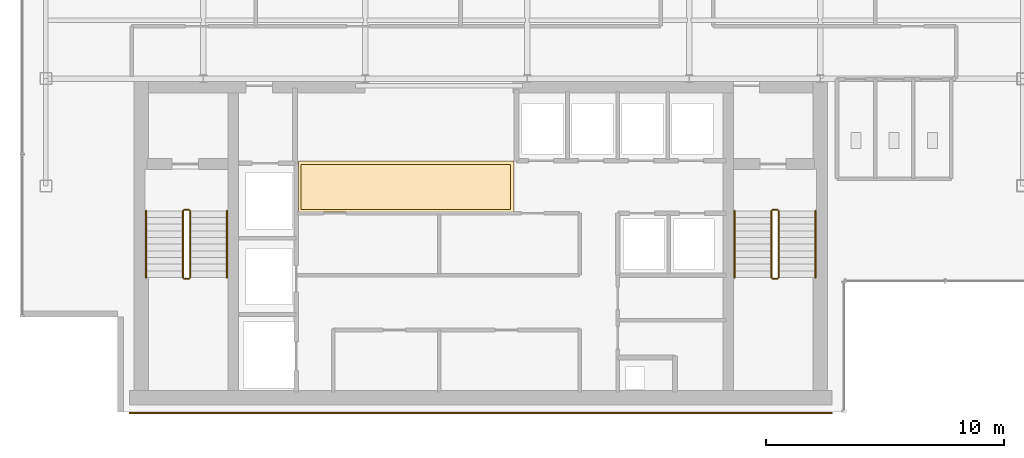
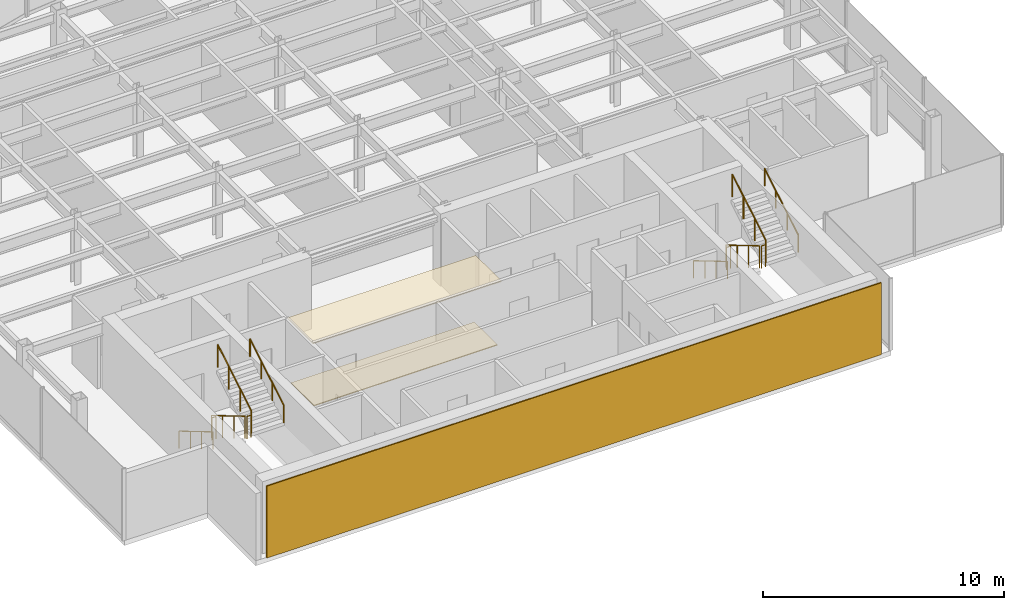
# One storey, part 20 of 22: 12 railings, 3 coverings.
"""IFC4 building model written with IfcOpenShell, lengths in metres."""

import ifcopenshell
import ifcopenshell.guid

model = None  # the IFC model being written
_history = None  # IfcOwnerHistory: only IFC2X3 demands one
_inside = {}  # id of a spatial element -> (the spatial element, [elements in it])
_under = {}  # id of a project, library or spatial element -> (it, [spatial elements below it])
_declared = {}  # id of a project -> (the project, [libraries it declares])
_typed = {}  # id of a type object -> (the type object, [elements of that type])
_made_of = {}  # id of a material, layer set ... -> (it, [elements and type objects made of it])


def new_model(schema):
    """Start an empty IFC model of exactly this schema.

    Asked for "IFC4X3", IfcOpenShell would pick the latest addendum, in which some entities
    have other attributes; the version numbers below select the first issue.
    IFC2X3 requires an IfcOwnerHistory on every rooted entity: one is made here for all.
    """
    global model, _history
    if schema == "IFC4X3":
        model = ifcopenshell.file(schema_version=(4, 3, 0, 0))
    else:
        model = ifcopenshell.file(schema=schema)
    _inside.clear()
    _under.clear()
    _declared.clear()
    _typed.clear()
    _made_of.clear()
    _history = None
    if model.schema == "IFC2X3":
        org = make("IfcOrganization", Name="unknown")
        user = make(
            "IfcPersonAndOrganization",
            ThePerson=make("IfcPerson", FamilyName="unknown"),
            TheOrganization=org,
        )
        app = make(
            "IfcApplication",
            ApplicationDeveloper=org,
            Version="unknown",
            ApplicationFullName="unknown",
            ApplicationIdentifier="unknown",
        )
        _history = make(
            "IfcOwnerHistory",
            OwningUser=user,
            OwningApplication=app,
            ChangeAction="ADDED",
            CreationDate=0,
        )
    return model


def make(cls, **values):
    """One entity of the class cls with the attributes given. An attribute that is None is left unset."""
    return model.create_entity(
        cls, **{name: value for name, value in values.items() if value is not None}
    )


def rooted(cls, **values):
    """An entity with a GlobalId (a new one), such as an element, a storey or a relation."""
    return make(cls, GlobalId=ifcopenshell.guid.new(), OwnerHistory=_history, **values)


def si_unit(unit_type, name, prefix=None):
    """IfcSIUnit, for example si_unit("LENGTHUNIT", "METRE", prefix="MILLI")."""
    return make("IfcSIUnit", UnitType=unit_type, Prefix=prefix, Name=name)


def derived_unit(unit_type, elements):
    """IfcDerivedUnit: a product of units, each with its exponent."""
    return make(
        "IfcDerivedUnit",
        Elements=[
            make("IfcDerivedUnitElement", Unit=unit, Exponent=power)
            for unit, power in elements
        ],
        UnitType=unit_type,
    )


def assignment(units):
    """IfcUnitAssignment: the units of a project."""
    return None if units is None else make("IfcUnitAssignment", Units=units)


def point(xyz):
    """IfcCartesianPoint."""
    return None if xyz is None else make("IfcCartesianPoint", Coordinates=xyz)


def direction(xyz):
    """IfcDirection."""
    return None if xyz is None else make("IfcDirection", DirectionRatios=xyz)


def frame(location, z_axis=None, x_axis=None):
    """IfcAxis2Placement3D, a coordinate frame: its origin and axes. An axis left out is left unset."""
    return make(
        "IfcAxis2Placement3D",
        Location=point(location),
        Axis=direction(z_axis),
        RefDirection=direction(x_axis),
    )


def frame_2d(location, x_axis=None):
    """IfcAxis2Placement2D, a coordinate frame in the plane: its origin and x axis."""
    return make(
        "IfcAxis2Placement2D", Location=point(location), RefDirection=direction(x_axis)
    )


def origin():
    """The frame at (0, 0, 0) with its axes left unset."""
    return frame((0.0, 0.0, 0.0))


def origin_2d():
    """The frame at (0, 0) in the plane with its x axis left unset."""
    return frame_2d((0.0, 0.0))


def place(relative_to, where):
    """IfcLocalPlacement: puts the frame where relative to a parent placement (None: the world)."""
    return make(
        "IfcLocalPlacement", PlacementRelTo=relative_to, RelativePlacement=where
    )


def context(
    kind, dimensions, precision=None, world=None, true_north=None, identifier=None
):
    """IfcGeometricRepresentationContext, for example the 3D "Model" context."""
    return make(
        "IfcGeometricRepresentationContext",
        ContextIdentifier=identifier,
        ContextType=kind,
        CoordinateSpaceDimension=dimensions,
        Precision=precision,
        WorldCoordinateSystem=world,
        TrueNorth=true_north,
    )


def subcontext(parent, identifier, kind, view, scale=None):
    """IfcGeometricRepresentationSubContext, for example "Body" below "Model"."""
    return make(
        "IfcGeometricRepresentationSubContext",
        ContextIdentifier=identifier,
        ContextType=kind,
        ParentContext=parent,
        TargetScale=scale,
        TargetView=view,
    )


def project(units=None, contexts=None):
    """IfcProject with its units and contexts."""
    return rooted(
        "IfcProject",
        Name="project",
        RepresentationContexts=contexts,
        UnitsInContext=assignment(units),
    )


def spatial(cls, under=None, at=None, **own):
    """A site, building, storey or space (cls), placed at a placement, below another one or the project."""
    s = rooted(cls, ObjectPlacement=at, **own)
    if under is not None:
        _under.setdefault(under.id(), (under, []))[1].append(s)
    return s


def polyline(points):
    """IfcPolyline through the points."""
    return make("IfcPolyline", Points=[point(p) for p in points])


def profile(cls, at=None, kind="AREA", **sizes):
    """A parametric profile (cls). Its sizes go by their IFC names, for example OverallWidth=200.0."""
    return make(cls, ProfileType=kind, Position=at, **sizes)


def rectangle(**sizes):
    """IfcRectangleProfileDef."""
    return profile("IfcRectangleProfileDef", **sizes)


def circle(**sizes):
    """IfcCircleProfileDef."""
    return profile("IfcCircleProfileDef", **sizes)


def outline(outer, holes=None, kind="AREA"):
    """IfcArbitraryClosedProfileDef: a profile drawn as a closed curve; with holes, ...WithVoids."""
    if holes is None:
        return make("IfcArbitraryClosedProfileDef", ProfileType=kind, OuterCurve=outer)
    return make(
        "IfcArbitraryProfileDefWithVoids",
        ProfileType=kind,
        OuterCurve=outer,
        InnerCurves=holes,
    )


def extrude(swept, where, along, depth):
    """IfcExtrudedAreaSolid: the profile swept, set in the frame where, extruded along a direction by depth."""
    return make(
        "IfcExtrudedAreaSolid",
        SweptArea=swept,
        Position=where,
        ExtrudedDirection=direction(along),
        Depth=depth,
    )


def shape(context_of_items, identifier, shape_type, items):
    """IfcShapeRepresentation: the items that make up one representation, for example the "Body"."""
    return make(
        "IfcShapeRepresentation",
        ContextOfItems=context_of_items,
        RepresentationIdentifier=identifier,
        RepresentationType=shape_type,
        Items=items,
    )


def source(mapping_origin, context_of_items, identifier, shape_type, items):
    """IfcRepresentationMap: a shape defined once, which mapped items show again and again."""
    return make(
        "IfcRepresentationMap",
        MappingOrigin=mapping_origin,
        MappedRepresentation=shape(context_of_items, identifier, shape_type, items),
    )


def transform(
    local_origin,
    x_axis=None,
    y_axis=None,
    z_axis=None,
    scale=None,
    scale2=None,
    scale3=None,
    uniform=True,
):
    """IfcCartesianTransformationOperator3D, or its non-uniform kind. x_axis, y_axis, z_axis: its Axis1, 2, 3."""
    if uniform:
        return make(
            "IfcCartesianTransformationOperator3D",
            Axis1=direction(x_axis),
            Axis2=direction(y_axis),
            LocalOrigin=point(local_origin),
            Scale=scale,
            Axis3=direction(z_axis),
        )
    return make(
        "IfcCartesianTransformationOperator3DnonUniform",
        Axis1=direction(x_axis),
        Axis2=direction(y_axis),
        LocalOrigin=point(local_origin),
        Scale=scale,
        Axis3=direction(z_axis),
        Scale2=scale2,
        Scale3=scale3,
    )


def mapped(mapping_source, mapping_target):
    """IfcMappedItem: shows the shape of a source again, moved by a transform."""
    return make(
        "IfcMappedItem", MappingSource=mapping_source, MappingTarget=mapping_target
    )


def material(Name=None, Category=None):
    """IfcMaterial."""
    return make("IfcMaterial", Name=Name, Category=Category)


def layer(
    of_material, thickness, ventilated=None, Name=None, Category=None, Priority=None
):
    """IfcMaterialLayer: one layer of a wall or slab, of a material (None: an air gap)."""
    return make(
        "IfcMaterialLayer",
        Material=of_material,
        LayerThickness=thickness,
        IsVentilated=ventilated,
        Name=Name,
        Category=Category,
        Priority=Priority,
    )


def layer_set(layers, Name=None):
    """IfcMaterialLayerSet."""
    return make("IfcMaterialLayerSet", MaterialLayers=layers, LayerSetName=Name)


def made_of(thing, what):
    """Note that an element or type object is made of a material, layer set ...; save() writes the relation."""
    if what is not None:
        _made_of.setdefault(what.id(), (what, []))[1].append(thing)
    return thing


def type_object(cls, material=None, **own):
    """A type object (cls), such as IfcWallType, which elements share."""
    return made_of(rooted(cls, **own), material)


def element(
    cls,
    number,
    at=None,
    inside=None,
    cuts=None,
    type_object=None,
    material=None,
    context=None,
    identifier="Body",
    shape_type=None,
    held_by="IfcProductDefinitionShape",
    body=None,
    shapes=None,
    **own,
):
    """One element of the class cls, such as IfcWall. Its Tag is "e" and its number.

    at: its placement. inside: the storey or other place that contains it. cuts: it is an
    opening in that element (IfcRelVoidsElement). A single representation is given by context,
    identifier, shape_type and body (its items); several are given by shapes. held_by: the class
    of the entity that holds the representations. save() writes the other relations.
    """
    e = rooted(cls, Tag="e%d" % number, ObjectPlacement=at, **own)
    if body is not None:
        shapes = [shape(context, identifier, shape_type, body)]
    if shapes is not None:
        e.Representation = make(held_by, Representations=shapes)
    if inside is not None:
        _inside.setdefault(inside.id(), (inside, []))[1].append(e)
    if cuts is not None:
        rooted(
            "IfcRelVoidsElement", RelatingBuildingElement=cuts, RelatedOpeningElement=e
        )
    if type_object is not None:
        _typed.setdefault(type_object.id(), (type_object, []))[1].append(e)
    return made_of(e, material)


def aggregate(whole, parts):
    """IfcRelAggregates: a whole, such as a stair, and the parts it consists of."""
    return rooted("IfcRelAggregates", RelatingObject=whole, RelatedObjects=parts)


def save(model, path):
    """Write the relations noted so far, then the file.

    IfcRelAggregates (storeys below a building ...), IfcRelContainedInSpatialStructure (elements
    in a storey), IfcRelDefinesByType, IfcRelAssociatesMaterial and IfcRelDeclares: one each for
    every whole, place, type object, material and project.
    """
    for whole, parts in _under.values():
        aggregate(whole, parts)
    for where, things in _inside.values():
        rooted(
            "IfcRelContainedInSpatialStructure",
            RelatedElements=things,
            RelatingStructure=where,
        )
    for kind, things in _typed.values():
        rooted("IfcRelDefinesByType", RelatedObjects=things, RelatingType=kind)
    for what, things in _made_of.values():
        rooted("IfcRelAssociatesMaterial", RelatedObjects=things, RelatingMaterial=what)
    for by, libraries in _declared.values():
        rooted("IfcRelDeclares", RelatingContext=by, RelatedDefinitions=libraries)
    model.write(path)


model = new_model("IFC4")

# Units and contexts
model_context = context("Model", 3, precision=1e-05, world=origin(), true_north=direction((0.0, 1.0)))
body_context = subcontext(model_context, "Body", "Model", "MODEL_VIEW")
ifc_project = project(units=[si_unit("LENGTHUNIT", "METRE"), si_unit("AREAUNIT", "SQUARE_METRE"), si_unit("VOLUMEUNIT", "CUBIC_METRE"), si_unit("PLANEANGLEUNIT", "RADIAN"), si_unit("MASSUNIT", "GRAM", prefix="KILO"), derived_unit("THERMALTRANSMITTANCEUNIT", [(si_unit("POWERUNIT", "WATT"), 1), (si_unit("LENGTHUNIT", "METRE"), -2), (si_unit("THERMODYNAMICTEMPERATUREUNIT", "KELVIN"), -1)])], contexts=[model_context])

# Site, building, storey
site_placement = place(None, origin())
site = spatial("IfcSite", under=ifc_project, at=site_placement, CompositionType="ELEMENT")
building_placement = place(site_placement, origin())
building = spatial("IfcBuilding", under=site, at=building_placement, Name="Skarnbrae Concourse Arena and Tower", CompositionType="ELEMENT")
storey_placement = place(building_placement, frame((0.0, 0.0, 203.199951171875)))
storey = spatial("IfcBuildingStorey", under=building, at=storey_placement, Name="L52", CompositionType="ELEMENT", Elevation=203.199951171875)

# Coverings
ifc_material_1 = material(Name="Mineral fibre acoustic ceiling tile", Category="other")
ifc_layer_1 = layer(ifc_material_1, 0.0400390625)
ifc_layer_set_1 = layer_set([ifc_layer_1], Name="Mineral fibre acoustic ceiling tile")
covering_type_1 = type_object("IfcCoveringType", Name="COV-CEIL-ACOUSTIC", PredefinedType="CEILING", material=ifc_layer_set_1)
covering_1_placement = place(storey_placement, frame((0.0, 0.0, 3.239990234375)))
element("IfcCovering", 1, at=covering_1_placement, inside=storey, type_object=covering_type_1, Name="L52 Lift lobby acoustic ceiling", PredefinedType="CEILING", context=body_context, shape_type="SweptSolid", body=[
    extrude(outline(polyline([(11.60009765625, 8.39990234375), (20.64990234375, 8.39990234375), (20.64990234375, 10.550048828125), (11.60009765625, 10.550048828125), (11.60009765625, 8.39990234375)])), origin(), (0.0, 0.0, 1.0), 0.0400390625),
])
ifc_material_2 = material(Name="Polished granite terrazzo flooring", Category="masonry")
ifc_layer_2 = layer(ifc_material_2, 0.0400390625)
ifc_layer_set_2 = layer_set([ifc_layer_2], Name="Polished granite terrazzo flooring")
covering_type_2 = type_object("IfcCoveringType", Name="COV-FLOOR-TERRAZZO", PredefinedType="FLOORING", material=ifc_layer_set_2)
covering_2_placement = place(storey_placement, origin())
element("IfcCovering", 2, at=covering_2_placement, inside=storey, type_object=covering_type_2, Name="L52 Lift lobby terrazzo flooring", PredefinedType="FLOORING", context=body_context, shape_type="SweptSolid", body=[
    extrude(outline(polyline([(11.699951171875, 8.5), (20.5, 8.5), (20.5, 10.39990234375), (11.699951171875, 10.39990234375), (11.699951171875, 8.5)])), origin(), (0.0, 0.0, 1.0), 0.0400390625),
])

# Railings
ifc_material_3 = material(Name="Steel CSA G40.21 350W", Category="steel")
railing_type_1 = type_object("IfcRailingType", Name="RAIL-HANDRAIL-900", PredefinedType="HANDRAIL", material=ifc_material_3)
railing_1_placement = place(storey_placement, frame((5.199951171875, 8.449951171875, 0.166015625)))
element("IfcRailing", 3, at=railing_1_placement, inside=storey, type_object=railing_type_1, Name="L52 ST-1 stair handrail 1", PredefinedType="HANDRAIL", context=body_context, shape_type="SweptSolid", body=[
    extrude(circle(Radius=0.02392578125, at=origin_2d()), frame((0.0, 0.0, 0.8759765625), z_axis=(0.0, -0.860339051648, 0.50972219513), x_axis=(1.0, 0.0, 0.0)), (0.0, 0.0, 1.0), 3.254638671875),
    extrude(circle(Radius=0.02099609375, at=origin_2d()), origin(), (0.0, 0.0, 1.0), 0.851806640625),
    extrude(circle(Radius=0.02099609375, at=origin_2d()), frame((0.0, -0.933349609375, 0.552978515625)), (0.0, 0.0, 1.0), 0.851806640625),
    extrude(circle(Radius=0.02099609375, at=origin_2d()), frame((0.0, -1.86669921875, 1.10595703125)), (0.0, 0.0, 1.0), 0.851806640625),
    extrude(circle(Radius=0.02099609375, at=origin_2d()), frame((0.0, -2.800048828125, 1.658935546875)), (0.0, 0.0, 1.0), 0.851806640625),
])
railing_2_placement = place(storey_placement, frame((8.60009765625, 5.64990234375, 1.990966796875)))
element("IfcRailing", 4, at=railing_2_placement, inside=storey, type_object=railing_type_1, Name="L52 ST-1 stair handrail 2", PredefinedType="HANDRAIL", context=body_context, shape_type="SweptSolid", body=[
    extrude(circle(Radius=0.02392578125, at=origin_2d()), frame((0.0, 0.0, 0.8759765625), z_axis=(0.0, 0.860306154799, 0.50977771628), x_axis=(-1.0, 0.0, 0.0)), (0.0, 0.0, 1.0), 3.254638671875),
    extrude(circle(Radius=0.02099609375, at=origin_2d()), origin(), (0.0, 0.0, 1.0), 0.851806640625),
    extrude(circle(Radius=0.02099609375, at=origin_2d()), frame((0.0, 0.933349609375, 0.552978515625)), (0.0, 0.0, 1.0), 0.851806640625),
    extrude(circle(Radius=0.02099609375, at=origin_2d()), frame((0.0, 1.86669921875, 1.106201171875)), (0.0, 0.0, 1.0), 0.851806640625),
    extrude(circle(Radius=0.02099609375, at=origin_2d()), frame((0.0, 2.800048828125, 1.6591796875)), (0.0, 0.0, 1.0), 0.851806640625),
])
railing_3_placement = place(storey_placement, frame((29.89990234375, 8.449951171875, 0.166015625)))
element("IfcRailing", 5, at=railing_3_placement, inside=storey, type_object=railing_type_1, Name="L52 ST-2 stair handrail 1", PredefinedType="HANDRAIL", context=body_context, shape_type="SweptSolid", body=[
    extrude(circle(Radius=0.02392578125, at=origin_2d()), frame((0.0, 0.0, 0.8759765625), z_axis=(0.0, -0.860339051648, 0.50972219513), x_axis=(1.0, 0.0, 0.0)), (0.0, 0.0, 1.0), 3.254638671875),
    extrude(circle(Radius=0.02099609375, at=origin_2d()), origin(), (0.0, 0.0, 1.0), 0.851806640625),
    extrude(circle(Radius=0.02099609375, at=origin_2d()), frame((0.0, -0.933349609375, 0.552978515625)), (0.0, 0.0, 1.0), 0.851806640625),
    extrude(circle(Radius=0.02099609375, at=origin_2d()), frame((0.0, -1.86669921875, 1.10595703125)), (0.0, 0.0, 1.0), 0.851806640625),
    extrude(circle(Radius=0.02099609375, at=origin_2d()), frame((0.0, -2.800048828125, 1.658935546875)), (0.0, 0.0, 1.0), 0.851806640625),
])
railing_4_placement = place(storey_placement, frame((33.300048828125, 5.64990234375, 1.990966796875)))
element("IfcRailing", 6, at=railing_4_placement, inside=storey, type_object=railing_type_1, Name="L52 ST-2 stair handrail 2", PredefinedType="HANDRAIL", context=body_context, shape_type="SweptSolid", body=[
    extrude(circle(Radius=0.02392578125, at=origin_2d()), frame((0.0, 0.0, 0.8759765625), z_axis=(0.0, 0.860306154799, 0.50977771628), x_axis=(-1.0, 0.0, 0.0)), (0.0, 0.0, 1.0), 3.254638671875),
    extrude(circle(Radius=0.02099609375, at=origin_2d()), origin(), (0.0, 0.0, 1.0), 0.851806640625),
    extrude(circle(Radius=0.02099609375, at=origin_2d()), frame((0.0, 0.933349609375, 0.552978515625)), (0.0, 0.0, 1.0), 0.851806640625),
    extrude(circle(Radius=0.02099609375, at=origin_2d()), frame((0.0, 1.86669921875, 1.106201171875)), (0.0, 0.0, 1.0), 0.851806640625),
    extrude(circle(Radius=0.02099609375, at=origin_2d()), frame((0.0, 2.800048828125, 1.6591796875)), (0.0, 0.0, 1.0), 0.851806640625),
])
railing_type_2 = type_object("IfcRailingType", Name="RAIL-STAIR-GUARD-1150", PredefinedType="GUARDRAIL", material=ifc_material_3)
railing_5_placement = place(storey_placement, frame((6.75, 8.449951171875, 0.166015625)))
element("IfcRailing", 7, at=railing_5_placement, inside=storey, type_object=railing_type_2, Name="L52 ST-1 stair guard 1", PredefinedType="GUARDRAIL", context=body_context, shape_type="SweptSolid", body=[
    extrude(circle(Radius=0.02392578125, at=origin_2d()), frame((0.0, 0.0, 1.1259765625), z_axis=(0.0, -0.860339051648, 0.50972219513), x_axis=(1.0, 0.0, 0.0)), (0.0, 0.0, 1.0), 3.254638671875),
    extrude(circle(Radius=0.02099609375, at=origin_2d()), origin(), (0.0, 0.0, 1.0), 1.101806640625),
    extrude(circle(Radius=0.02099609375, at=origin_2d()), frame((0.0, -0.933349609375, 0.552978515625)), (0.0, 0.0, 1.0), 1.101806640625),
    extrude(circle(Radius=0.02099609375, at=origin_2d()), frame((0.0, -1.86669921875, 1.10595703125)), (0.0, 0.0, 1.0), 1.101806640625),
    extrude(circle(Radius=0.02099609375, at=origin_2d()), frame((0.0, -2.800048828125, 1.658935546875)), (0.0, 0.0, 1.0), 1.101806640625),
])
railing_6_placement = place(storey_placement, frame((6.800048828125, 5.60009765625, 1.824951171875)))
element("IfcRailing", 8, at=railing_6_placement, inside=storey, type_object=railing_type_2, Name="L52 ST-1 stair guard 2", PredefinedType="GUARDRAIL", context=body_context, shape_type="SweptSolid", body=[
    extrude(circle(Radius=0.02392578125, at=origin_2d()), frame((0.0, 0.0, 1.1259765625), z_axis=(1.0, 0.0, 0.0), x_axis=(0.0, 1.0, 0.0)), (0.0, 0.0, 1.0), 0.199951171875),
    extrude(circle(Radius=0.02099609375, at=origin_2d()), origin(), (0.0, 0.0, 1.0), 1.101806640625),
    extrude(circle(Radius=0.02099609375, at=origin_2d()), frame((0.199951171875, 0.0, 0.0)), (0.0, 0.0, 1.0), 1.101806640625),
])
railing_7_placement = place(storey_placement, frame((7.050048828125, 5.64990234375, 1.990966796875)))
element("IfcRailing", 9, at=railing_7_placement, inside=storey, type_object=railing_type_2, Name="L52 ST-1 stair guard 3", PredefinedType="GUARDRAIL", context=body_context, shape_type="SweptSolid", body=[
    extrude(circle(Radius=0.02392578125, at=origin_2d()), frame((0.0, 0.0, 1.1259765625), z_axis=(0.0, 0.860306154799, 0.50977771628), x_axis=(-1.0, 0.0, 0.0)), (0.0, 0.0, 1.0), 3.254638671875),
    extrude(circle(Radius=0.02099609375, at=origin_2d()), origin(), (0.0, 0.0, 1.0), 1.101806640625),
    extrude(circle(Radius=0.02099609375, at=origin_2d()), frame((0.0, 0.933349609375, 0.552978515625)), (0.0, 0.0, 1.0), 1.101806640625),
    extrude(circle(Radius=0.02099609375, at=origin_2d()), frame((0.0, 1.86669921875, 1.106201171875)), (0.0, 0.0, 1.0), 1.101806640625),
    extrude(circle(Radius=0.02099609375, at=origin_2d()), frame((0.0, 2.800048828125, 1.6591796875)), (0.0, 0.0, 1.0), 1.101806640625),
])
railing_8_placement = place(storey_placement, frame((6.800048828125, 8.5, 0.0)))
element("IfcRailing", 10, at=railing_8_placement, inside=storey, type_object=railing_type_2, Name="L52 ST-1 stair guard 4", PredefinedType="GUARDRAIL", context=body_context, shape_type="SweptSolid", body=[
    extrude(circle(Radius=0.02392578125, at=origin_2d()), frame((0.0, 0.0, 1.1259765625), z_axis=(1.0, 0.0, 0.0), x_axis=(0.0, 1.0, 0.0)), (0.0, 0.0, 1.0), 0.199951171875),
    extrude(circle(Radius=0.02099609375, at=origin_2d()), origin(), (0.0, 0.0, 1.0), 1.101806640625),
    extrude(circle(Radius=0.02099609375, at=origin_2d()), frame((0.199951171875, 0.0, 0.0)), (0.0, 0.0, 1.0), 1.101806640625),
])
railing_9_placement = place(storey_placement, frame((31.449951171875, 8.449951171875, 0.166015625)))
element("IfcRailing", 11, at=railing_9_placement, inside=storey, type_object=railing_type_2, Name="L52 ST-2 stair guard 1", PredefinedType="GUARDRAIL", context=body_context, shape_type="SweptSolid", body=[
    extrude(circle(Radius=0.02392578125, at=origin_2d()), frame((0.0, 0.0, 1.1259765625), z_axis=(0.0, -0.860339051648, 0.50972219513), x_axis=(1.0, 0.0, 0.0)), (0.0, 0.0, 1.0), 3.254638671875),
    extrude(circle(Radius=0.02099609375, at=origin_2d()), origin(), (0.0, 0.0, 1.0), 1.101806640625),
    extrude(circle(Radius=0.02099609375, at=origin_2d()), frame((0.0, -0.933349609375, 0.552978515625)), (0.0, 0.0, 1.0), 1.101806640625),
    extrude(circle(Radius=0.02099609375, at=origin_2d()), frame((0.0, -1.86669921875, 1.10595703125)), (0.0, 0.0, 1.0), 1.101806640625),
    extrude(circle(Radius=0.02099609375, at=origin_2d()), frame((0.0, -2.800048828125, 1.658935546875)), (0.0, 0.0, 1.0), 1.101806640625),
])
railing_10_placement = place(storey_placement, frame((31.5, 5.60009765625, 1.824951171875)))
element("IfcRailing", 12, at=railing_10_placement, inside=storey, type_object=railing_type_2, Name="L52 ST-2 stair guard 2", PredefinedType="GUARDRAIL", context=body_context, shape_type="SweptSolid", body=[
    extrude(circle(Radius=0.02392578125, at=origin_2d()), frame((0.0, 0.0, 1.1259765625), z_axis=(1.0, 0.0, 0.0), x_axis=(0.0, 1.0, 0.0)), (0.0, 0.0, 1.0), 0.199951171875),
    extrude(circle(Radius=0.02099609375, at=origin_2d()), origin(), (0.0, 0.0, 1.0), 1.101806640625),
    extrude(circle(Radius=0.02099609375, at=origin_2d()), frame((0.199951171875, 0.0, 0.0)), (0.0, 0.0, 1.0), 1.101806640625),
])
railing_11_placement = place(storey_placement, frame((31.75, 5.64990234375, 1.990966796875)))
element("IfcRailing", 13, at=railing_11_placement, inside=storey, type_object=railing_type_2, Name="L52 ST-2 stair guard 3", PredefinedType="GUARDRAIL", context=body_context, shape_type="SweptSolid", body=[
    extrude(circle(Radius=0.02392578125, at=origin_2d()), frame((0.0, 0.0, 1.1259765625), z_axis=(0.0, 0.860306154799, 0.50977771628), x_axis=(-1.0, 0.0, 0.0)), (0.0, 0.0, 1.0), 3.254638671875),
    extrude(circle(Radius=0.02099609375, at=origin_2d()), origin(), (0.0, 0.0, 1.0), 1.101806640625),
    extrude(circle(Radius=0.02099609375, at=origin_2d()), frame((0.0, 0.933349609375, 0.552978515625)), (0.0, 0.0, 1.0), 1.101806640625),
    extrude(circle(Radius=0.02099609375, at=origin_2d()), frame((0.0, 1.86669921875, 1.106201171875)), (0.0, 0.0, 1.0), 1.101806640625),
    extrude(circle(Radius=0.02099609375, at=origin_2d()), frame((0.0, 2.800048828125, 1.6591796875)), (0.0, 0.0, 1.0), 1.101806640625),
])
railing_12_placement = place(storey_placement, frame((31.5, 8.5, 0.0)))
element("IfcRailing", 14, at=railing_12_placement, inside=storey, type_object=railing_type_2, Name="L52 ST-2 stair guard 4", PredefinedType="GUARDRAIL", context=body_context, shape_type="SweptSolid", body=[
    extrude(circle(Radius=0.02392578125, at=origin_2d()), frame((0.0, 0.0, 1.1259765625), z_axis=(1.0, 0.0, 0.0), x_axis=(0.0, 1.0, 0.0)), (0.0, 0.0, 1.0), 0.199951171875),
    extrude(circle(Radius=0.02099609375, at=origin_2d()), origin(), (0.0, 0.0, 1.0), 1.101806640625),
    extrude(circle(Radius=0.02099609375, at=origin_2d()), frame((0.199951171875, 0.0, 0.0)), (0.0, 0.0, 1.0), 1.101806640625),
])

# Covering
ifc_material_4 = material(Name="Bronze anodised aluminium 6063-T6", Category="aluminium")
ifc_layer_3 = layer(ifc_material_4, 0.06005859375)
ifc_layer_set_3 = layer_set([ifc_layer_3], Name="Bronze anodised aluminium 6063-T6")
covering_type_3 = type_object("IfcCoveringType", Name="COV-CLAD-BRONZE-60", PredefinedType="CLADDING", material=ifc_layer_set_3)
shared_shape = source(origin(), body_context, "Body", "SweptSolid", [
    extrude(rectangle(XDim=29.5, YDim=0.06005859375, at=origin_2d()), origin(), (0.0, 0.0, 1.0), 3.64990234375),
])
covering_3_placement = place(storey_placement, frame((19.25, -0.030029296875, 0.0), z_axis=(0.0, 0.0, 1.0), x_axis=(1.0, 0.0, 0.0)))
element("IfcCovering", 15, at=covering_3_placement, inside=storey, type_object=covering_type_3, Name="L52 Rear-core plumb spine bronze rainscreen panel", PredefinedType="CLADDING", context=body_context, shape_type="MappedRepresentation", body=[
    mapped(shared_shape, transform((0.0, 0.0, 0.0))),
])

save(model, "model.ifc")
